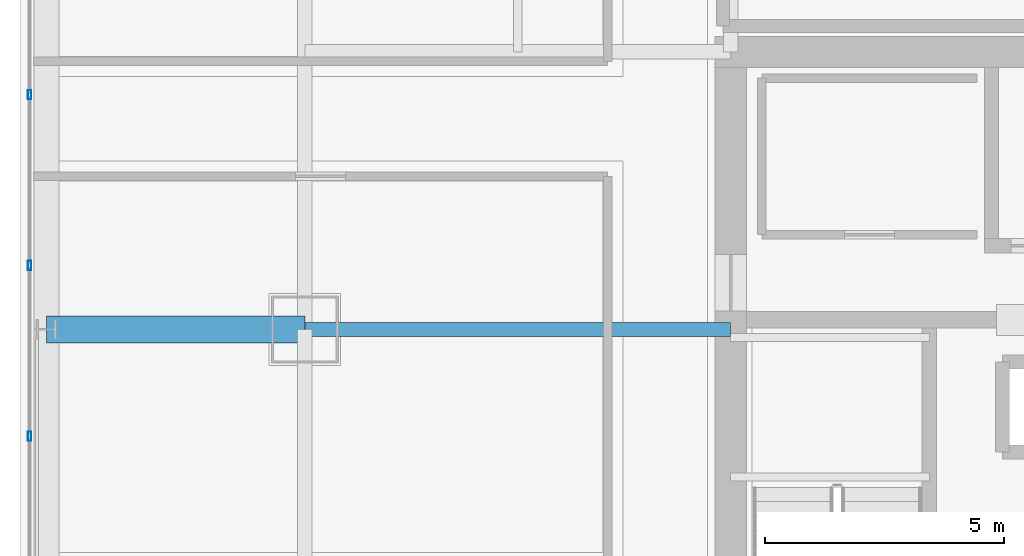
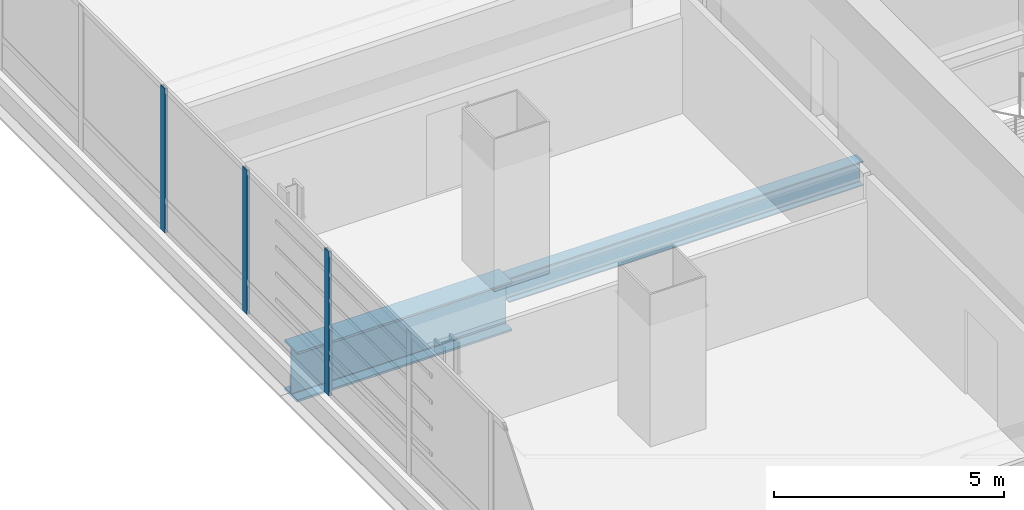
# One storey, part 11 of 36: 3 members, 2 beams, 1 element without a shape of its own.
"""IFC4 building model written with IfcOpenShell, lengths in metres."""

from ifc_helpers import new_model, si_unit, direction, frame, origin, origin_2d, place, context, subcontext, project, spatial, hollow_rectangle, i_section, extrude, material, material_profile, profile_set, type_object, element, aggregate, save


model = new_model("IFC4")

# Units and contexts
model_context = context("Model", 3, precision=1e-05, world=origin(), true_north=direction((0.0, 1.0)))
body_context = subcontext(model_context, "Body", "Model", "MODEL_VIEW")
ifc_project = project(units=[si_unit("LENGTHUNIT", "METRE"), si_unit("AREAUNIT", "SQUARE_METRE"), si_unit("VOLUMEUNIT", "CUBIC_METRE"), si_unit("PLANEANGLEUNIT", "RADIAN"), si_unit("MASSUNIT", "GRAM", prefix="KILO")], contexts=[model_context])

# Site, building, storey
site_placement = place(None, origin())
site = spatial("IfcSite", under=ifc_project, at=site_placement, CompositionType="ELEMENT")
building_placement = place(site_placement, origin())
building = spatial("IfcBuilding", under=site, at=building_placement, Name="Punatoya Terracotta Tower", CompositionType="ELEMENT")
storey_placement = place(building_placement, frame((0.0, 0.0, 184.35009765625)))
storey = spatial("IfcBuildingStorey", under=building, at=storey_placement, Name="L43", CompositionType="ELEMENT", Elevation=184.35009765625)

# Beams
ifc_material_1 = material(Name="Steel S355", Category="steel")
ifc_material_profile_1 = material_profile(ifc_material_1, i_section(OverallWidth=0.300048828125, OverallDepth=0.64990234375, WebThickness=0.01611328125, FlangeThickness=0.031005859375, FilletRadius=0.01806640625, at=origin_2d()))
ifc_profile_set_1 = profile_set([ifc_material_profile_1], Name="Steel S355")
beam_type_1 = type_object("IfcBeamType", Name="BM-PRI-650", PredefinedType="BEAM", material=ifc_profile_set_1)
beam_1_placement = place(storey_placement, frame((-19.10009765625, 3.39990234375, -0.545166015625), z_axis=(1.0, 0.0, 0.0), x_axis=(0.0, 1.0, 0.0)))
element("IfcBeam", 1, at=beam_1_placement, inside=storey, type_object=beam_type_1, Name="BM-L43-PR-WE", PredefinedType="BEAM", context=body_context, shape_type="SweptSolid", body=[
    extrude(i_section(OverallWidth=0.300048828125, OverallDepth=0.64990234375, WebThickness=0.01611328125, FlangeThickness=0.031005859375, FilletRadius=0.01806640625, at=origin_2d()), origin(), (0.0, 0.0, 1.0), 8.900146484375),
])
ifc_material_2 = material(Name="Steel S460", Category="steel")
ifc_material_profile_2 = material_profile(ifc_material_2, i_section(OverallWidth=0.56005859375, OverallDepth=1.320068359375, WebThickness=0.035888671875, FlangeThickness=0.054931640625, FilletRadius=0.01806640625, at=origin_2d()))
ifc_profile_set_2 = profile_set([ifc_material_profile_2], Name="Steel S460")
beam_type_2 = type_object("IfcBeamType", Name="BM-TG-BLK", PredefinedType="BEAM", material=ifc_profile_set_2)
beam_2_placement = place(storey_placement, frame((-24.5, 3.39990234375, -0.880126953125), z_axis=(1.0, 0.0, 0.0), x_axis=(0.0, 1.0, 0.0)))
element("IfcBeam", 2, at=beam_2_placement, inside=storey, type_object=beam_type_2, Name="BM-L43-CANT-W3", PredefinedType="BEAM", context=body_context, shape_type="SweptSolid", body=[
    extrude(i_section(OverallWidth=0.56005859375, OverallDepth=1.320068359375, WebThickness=0.035888671875, FlangeThickness=0.054931640625, FilletRadius=0.01806640625, at=origin_2d()), origin(), (0.0, 0.0, 1.0), 5.39990234375),
])

# Curtain wall, members
ifc_material_3 = material(Name="Aluminium 6063-T6 + Double Low-E Glass", Category="aluminium")
curtain_wall_type = type_object("IfcCurtainWallType", Name="CW-M2", PredefinedType="NOTDEFINED", material=ifc_material_3)
curtain_wall_placement = place(storey_placement, origin())
curtain_wall = element("IfcCurtainWall", 3, at=curtain_wall_placement, inside=storey, type_object=curtain_wall_type, Name="L43 Curtain Wall CW-L43-W13-1", PredefinedType="NOTDEFINED")
ifc_material_4 = material(Name="Aluminium 6063-T6", Category="aluminium")
ifc_material_profile_3 = material_profile(ifc_material_4, hollow_rectangle(XDim=0.072021484375, YDim=0.195068359375, WallThickness=0.00439453125, at=origin_2d()))
ifc_profile_set_3 = profile_set([ifc_material_profile_3], Name="Aluminium 6063-T6")
member_type = type_object("IfcMemberType", Name="CW-MUL-M2", PredefinedType="MULLION", material=ifc_profile_set_3)
member_1_placement = place(storey_placement, frame((-24.85009765625, 8.302001953125, 0.0), z_axis=(0.0, 0.0, 1.0), x_axis=(1.0, 0.0, 0.0)))
member_1 = element("IfcMember", 4, at=member_1_placement, type_object=member_type, Name="CW-L43-W13-1 Mullion 02", PredefinedType="MULLION", context=body_context, shape_type="SweptSolid", body=[
    extrude(hollow_rectangle(XDim=0.072021484375, YDim=0.195068359375, WallThickness=0.00439453125, at=origin_2d()), origin(), (0.0, 0.0, 1.0), 3.829833984375),
])
member_2_placement = place(storey_placement, frame((-24.85009765625, 4.73486328125, 0.0), z_axis=(0.0, 0.0, 1.0), x_axis=(1.0, 0.0, 0.0)))
member_2 = element("IfcMember", 5, at=member_2_placement, type_object=member_type, Name="CW-L43-W13-1 Mullion 03", PredefinedType="MULLION", context=body_context, shape_type="SweptSolid", body=[
    extrude(hollow_rectangle(XDim=0.072021484375, YDim=0.195068359375, WallThickness=0.00439453125, at=origin_2d()), origin(), (0.0, 0.0, 1.0), 3.829833984375),
])
member_3_placement = place(storey_placement, frame((-24.85009765625, 1.16748046875, 0.0), z_axis=(0.0, 0.0, 1.0), x_axis=(1.0, 0.0, 0.0)))
member_3 = element("IfcMember", 6, at=member_3_placement, type_object=member_type, Name="CW-L43-W13-1 Mullion 04", PredefinedType="MULLION", context=body_context, shape_type="SweptSolid", body=[
    extrude(hollow_rectangle(XDim=0.072021484375, YDim=0.195068359375, WallThickness=0.00439453125, at=origin_2d()), origin(), (0.0, 0.0, 1.0), 3.829833984375),
])
aggregate(curtain_wall, [member_1, member_2, member_3])

save(model, "model.ifc")
